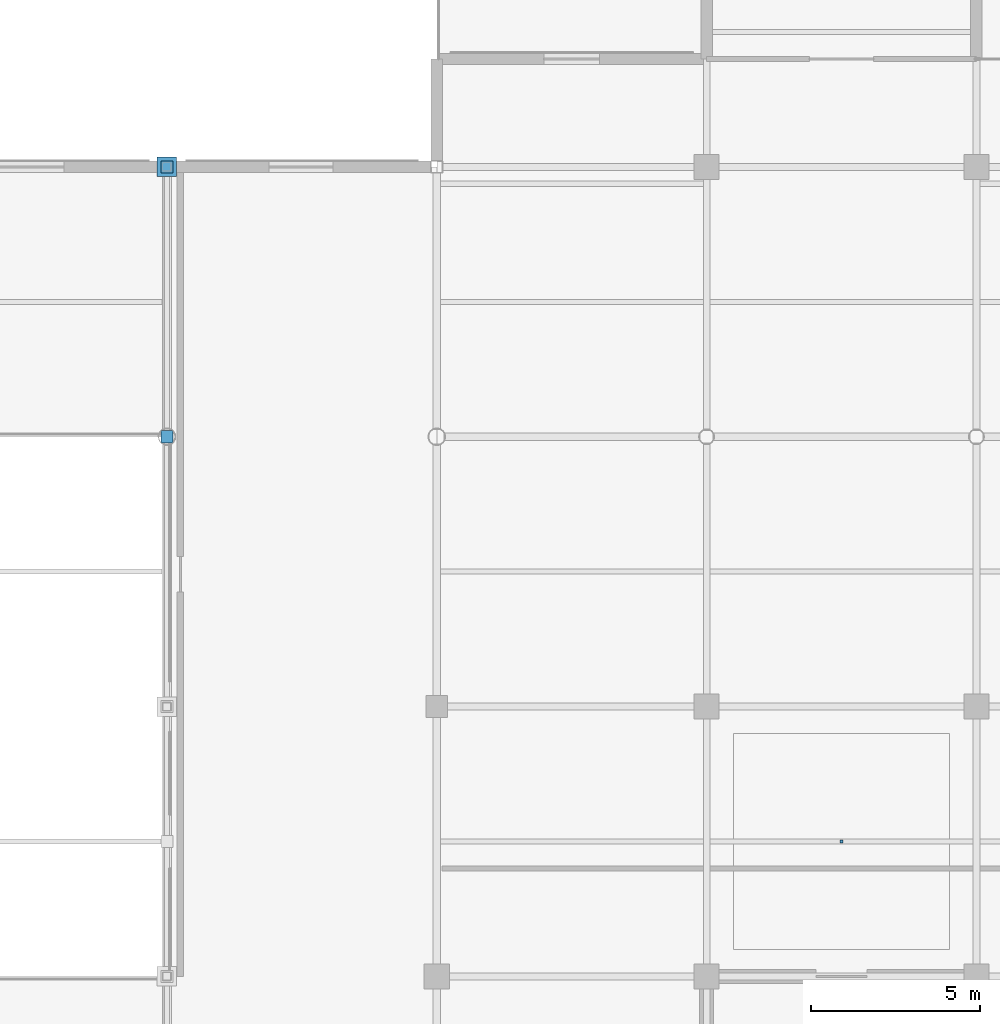
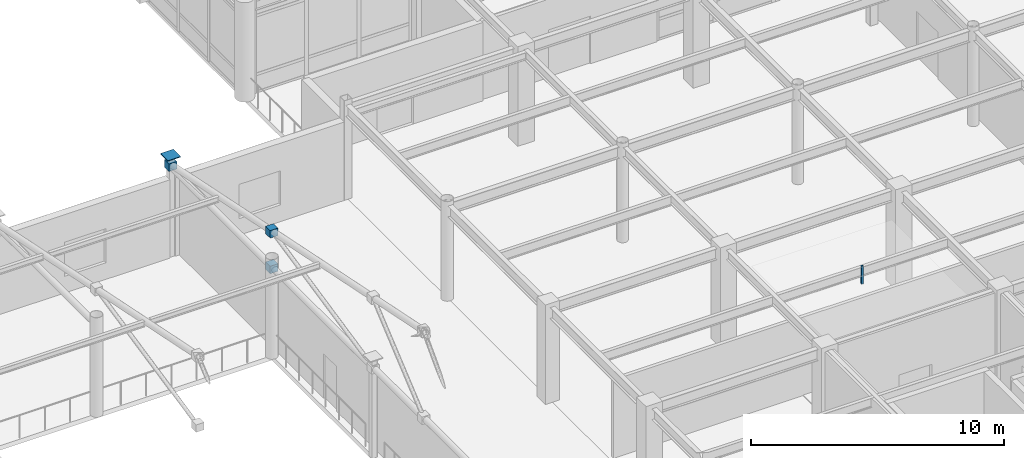
# One storey, part 100 of 117: 5 discrete accessories.
"""IFC4 building model written with IfcOpenShell, lengths in metres."""

from ifc_helpers import new_model, si_unit, direction, frame, origin, origin_2d, place, context, subcontext, project, spatial, rectangle, extrude, material, layer, layer_set, type_object, element, save


model = new_model("IFC4")

# Units and contexts
model_context = context("Model", 3, precision=1e-05, world=origin(), true_north=direction((0.0, 1.0)))
body_context = subcontext(model_context, "Body", "Model", "MODEL_VIEW")
ifc_project = project(units=[si_unit("LENGTHUNIT", "METRE"), si_unit("AREAUNIT", "SQUARE_METRE"), si_unit("VOLUMEUNIT", "CUBIC_METRE"), si_unit("PLANEANGLEUNIT", "RADIAN"), si_unit("MASSUNIT", "GRAM", prefix="KILO")], contexts=[model_context])

# Site, building, storey
site_placement = place(None, origin())
site = spatial("IfcSite", under=ifc_project, at=site_placement, CompositionType="ELEMENT")
building_placement = place(site_placement, origin())
building = spatial("IfcBuilding", under=site, at=building_placement, Name="Solmirada Galleria", CompositionType="ELEMENT")
storey_placement = place(building_placement, frame((0.0, 0.0, 5.60009765625)))
storey = spatial("IfcBuildingStorey", under=building, at=storey_placement, Name="L01", CompositionType="ELEMENT", Elevation=5.60009765625)

# Discrete accessories
ifc_material_1 = material(Name="Steel S355 / ASTM A992 Grade 50", Category="steel")
discrete_accessory_type_1 = type_object("IfcDiscreteAccessoryType", Name="ACC-CEIL-HANGER", PredefinedType="BRACKET", material=ifc_material_1)
discrete_accessory_1_placement = place(storey_placement, frame((92.0, 20.0, 3.749755859375), z_axis=(0.0, 0.0, 1.0), x_axis=(1.0, 0.0, 0.0)))
element("IfcDiscreteAccessory", 1, at=discrete_accessory_1_placement, inside=storey, type_object=discrete_accessory_type_1, Name="Ceiling suspension hanger L01-2", PredefinedType="BRACKET", context=body_context, shape_type="SweptSolid", body=[
    extrude(rectangle(XDim=0.080078125, YDim=0.080078125, at=origin_2d()), origin(), (0.0, 0.0, 1.0), 0.8701171875),
])
ifc_material_2 = material(Name="Steel S355 / ASTM A572 Grade 50", Category="steel")
ifc_layer = layer(ifc_material_2, 0.031982421875)
ifc_layer_set = layer_set([ifc_layer], Name="Steel S355 / ASTM A572 Grade 50")
discrete_accessory_type_2 = type_object("IfcDiscreteAccessoryType", Name="ACC-COL-CAP", PredefinedType="BRACKET", material=ifc_layer_set)
discrete_accessory_2_placement = place(storey_placement, frame((72.0, 40.0, 4.7939453125), z_axis=(0.0, 0.0, 1.0), x_axis=(1.0, 0.0, 0.0)))
element("IfcDiscreteAccessory", 2, at=discrete_accessory_2_placement, inside=storey, type_object=discrete_accessory_type_2, Name="Hollow column cap plate L01-0299", PredefinedType="BRACKET", context=body_context, shape_type="SweptSolid", body=[
    extrude(rectangle(XDim=0.580078125, YDim=0.580078125, at=origin_2d()), origin(), (0.0, 0.0, 1.0), 0.035888671875),
])
for number, where, z_axis, x_axis, name in (
    (3, (72.0, 32.0, 5.83984375), (0.0, 0.0, 1.0), (1.0, 0.0, 0.0), "Food Hall web node cap X=72-240-B"),
    (4, (72.0, 32.0, 4.11962890625), (0.0, 0.0, 1.0), (1.0, 0.0, 0.0), "Food Hall web node cap X=72-320-A"),
    (5, (72.0, 40.0, 4.19970703125), (0.0, 0.0, 1.0), (1.0, 0.0, 0.0), "Food Hall web node cap X=72-320-B"),
):
    element("IfcDiscreteAccessory", number, at=place(storey_placement, frame(where, z_axis=z_axis, x_axis=x_axis)), inside=storey, type_object=discrete_accessory_type_2, Name=name, PredefinedType="BRACKET", context=body_context, shape_type="SweptSolid", body=[
        extrude(rectangle(XDim=0.360107421875, YDim=0.360107421875, at=origin_2d()), origin(), (0.0, 0.0, 1.0), 0.360107421875),
    ])

save(model, "model.ifc")
